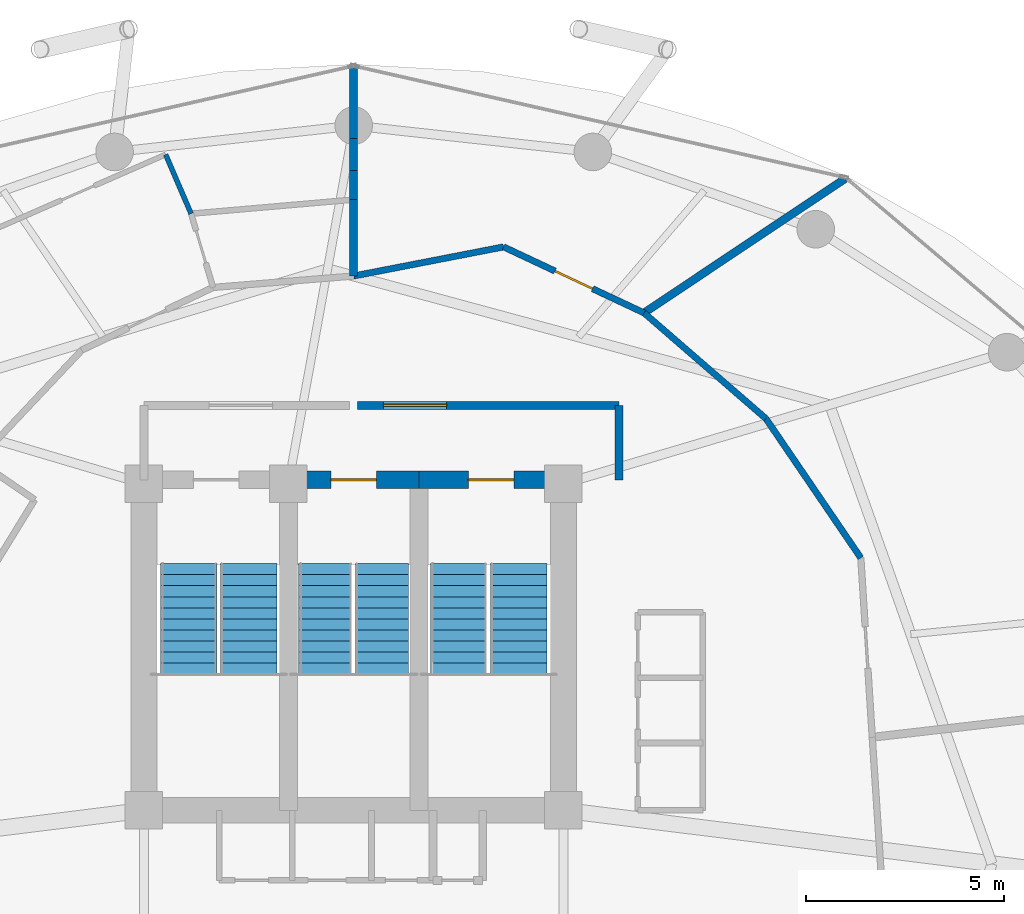
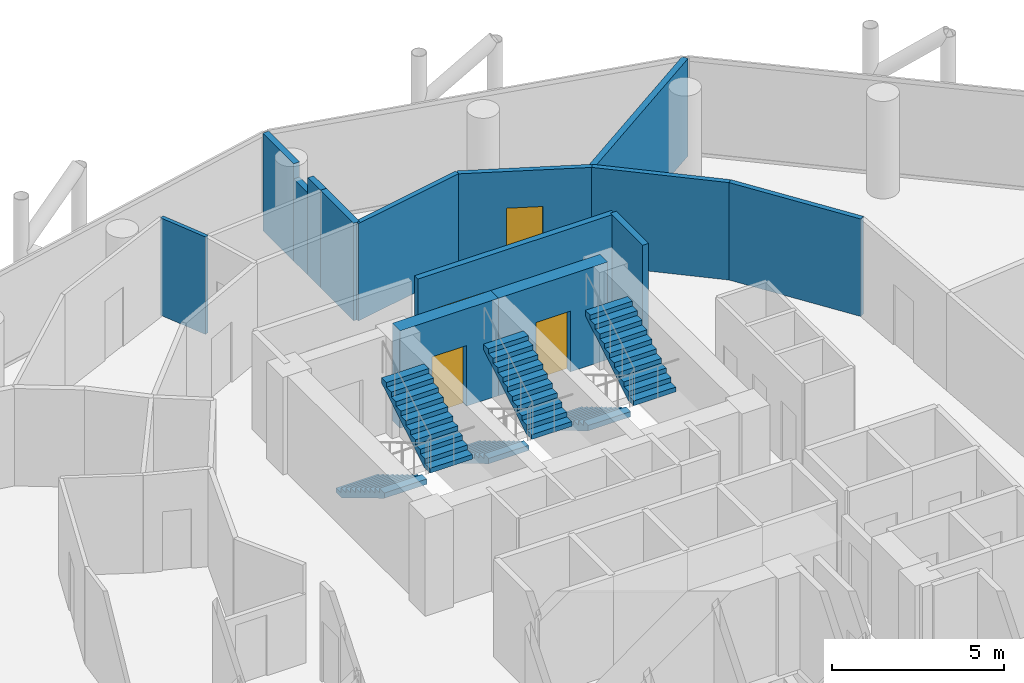
# One storey, part 25 of 26: 14 walls, 6 stair flights, 4 doors, 4 openings, 3 elements without a shape of their own.
"""IFC4 building model written with IfcOpenShell, lengths in metres."""

from ifc_helpers import new_model, si_unit, direction, frame, frame_2d, origin, place, context, subcontext, project, spatial, polyline, rectangle, outline, extrude, material, layer, layer_set, type_object, element, fill, aggregate, save


model = new_model("IFC4")

# Units and contexts
model_context = context("Model", 3, precision=1e-05, world=origin(), true_north=direction((0.0, 1.0)))
body_context = subcontext(model_context, "Body", "Model", "MODEL_VIEW")
ifc_project = project(units=[si_unit("LENGTHUNIT", "METRE"), si_unit("AREAUNIT", "SQUARE_METRE"), si_unit("VOLUMEUNIT", "CUBIC_METRE"), si_unit("PLANEANGLEUNIT", "RADIAN"), si_unit("MASSUNIT", "GRAM", prefix="KILO")], contexts=[model_context])

# Site, building, storey
site_placement = place(None, origin())
site = spatial("IfcSite", under=ifc_project, at=site_placement, CompositionType="ELEMENT")
building_placement = place(site_placement, origin())
building = spatial("IfcBuilding", under=site, at=building_placement, Name="Nuhasar Tower", CompositionType="ELEMENT")
storey_placement = place(building_placement, frame((0.0, 0.0, 129.35009765625)))
storey = spatial("IfcBuildingStorey", under=building, at=storey_placement, Name="L30", CompositionType="ELEMENT", Elevation=129.35009765625)

# Wall, opening, door
ifc_material_1 = material(Name="Concrete C50/60", Category="concrete")
ifc_layer_1 = layer(ifc_material_1, 0.449951171875)
ifc_layer_set_1 = layer_set([ifc_layer_1], Name="Concrete C50/60")
wall_type_1 = type_object("IfcWallType", Name="WL-CORE-450", PredefinedType="SHEAR", material=ifc_layer_set_1)
wall_1_placement = place(storey_placement, frame((40.64990234375, 37.39990234375, 0.0), z_axis=(0.0, 0.0, 1.0), x_axis=(-1.0, 0.0, 0.0)))
wall_1 = element("IfcWall", 1, at=wall_1_placement, inside=storey, type_object=wall_type_1, Name="L30 Stairwell Shear Wall ST03-N", PredefinedType="SHEAR", context=body_context, shape_type="SweptSolid", body=[
    extrude(rectangle(XDim=3.2998046875, YDim=0.449951171875, at=frame_2d((1.64990234375, 0.0))), origin(), (0.0, 0.0, 1.0), 3.449951171875),
])
opening_1_placement = place(wall_1_placement, frame((1.074951171875, 0.0, 0.0)))
opening_1 = element("IfcOpeningElement", 2, at=opening_1_placement, cuts=wall_1, Name="Opening DS-01", PredefinedType="OPENING", context=body_context, shape_type="SweptSolid", body=[
    extrude(rectangle(XDim=1.14990234375, YDim=2.14990234375, at=frame_2d((0.574951171875, 1.074951171875))), frame((0.0, 0.23486328125, 0.0), z_axis=(0.0, -1.0, 0.0), x_axis=(1.0, 0.0, 0.0)), (0.0, 0.0, 1.0), 0.469970703125),
])
ifc_material_2 = material(Name="Steel S355", Category="steel")
door_type_1 = type_object("IfcDoorType", Name="DR-STAIR-FD120-1150", OperationType="NOTDEFINED", PredefinedType="DOOR", material=ifc_material_2)
door_1_placement = place(opening_1_placement, origin())
door_1 = element("IfcDoor", 3, at=door_1_placement, inside=storey, type_object=door_type_1, Name="L30 Exit Stair ST-03 Door", OperationType="SINGLE_SWING_RIGHT", OverallHeight=2.14990234375, OverallWidth=1.14990234375, PredefinedType="DOOR", context=body_context, shape_type="SweptSolid", body=[
    extrude(rectangle(XDim=1.14990234375, YDim=2.14990234375, at=frame_2d((0.574951171875, 1.074951171875))), frame((0.0, 0.02490234375, 0.0), z_axis=(0.0, -1.0, 0.0), x_axis=(1.0, 0.0, 0.0)), (0.0, 0.0, 1.0), 0.050048828125),
])
fill(opening_1, door_1)

wall_2_placement = place(storey_placement, frame((44.300048828125, 37.39990234375, 0.0), z_axis=(0.0, 0.0, 1.0), x_axis=(-1.0, 0.0, 0.0)))
wall_2 = element("IfcWall", 4, at=wall_2_placement, inside=storey, type_object=wall_type_1, Name="L30 Stairwell Shear Wall ST02-N", PredefinedType="SHEAR", context=body_context, shape_type="SweptSolid", body=[
    extrude(rectangle(XDim=3.650146484375, YDim=0.449951171875, at=frame_2d((1.8251953125, 0.0))), origin(), (0.0, 0.0, 1.0), 3.449951171875),
])
opening_2_placement = place(wall_2_placement, frame((1.25, 0.0, 0.0)))
opening_2 = element("IfcOpeningElement", 5, at=opening_2_placement, cuts=wall_2, Name="Opening DS-01", PredefinedType="OPENING", context=body_context, shape_type="SweptSolid", body=[
    extrude(rectangle(XDim=1.14990234375, YDim=2.14990234375, at=frame_2d((0.574951171875, 1.074951171875))), frame((0.0, 0.23486328125, 0.0), z_axis=(0.0, -1.0, 0.0), x_axis=(1.0, 0.0, 0.0)), (0.0, 0.0, 1.0), 0.469970703125),
])
door_2_placement = place(opening_2_placement, origin())
door_2 = element("IfcDoor", 6, at=door_2_placement, inside=storey, type_object=door_type_1, Name="L30 Exit Stair ST-02 Door", OperationType="SINGLE_SWING_LEFT", OverallHeight=2.14990234375, OverallWidth=1.14990234375, PredefinedType="DOOR", context=body_context, shape_type="SweptSolid", body=[
    extrude(rectangle(XDim=1.14990234375, YDim=2.14990234375, at=frame_2d((0.574951171875, 1.074951171875))), frame((0.0, 0.02490234375, 0.0), z_axis=(0.0, -1.0, 0.0), x_axis=(1.0, 0.0, 0.0)), (0.0, 0.0, 1.0), 0.050048828125),
])
fill(opening_2, door_2)

# Walls
ifc_material_3 = material(Name="Gypsum Board", Category="gypsum")
ifc_layer_2 = layer(ifc_material_3, 0.159912109375)
ifc_layer_set_2 = layer_set([ifc_layer_2], Name="Gypsum Board")
wall_type_2 = type_object("IfcWallType", Name="WL-CORR-160", PredefinedType="PARTITIONING", material=ifc_layer_set_2)
wall_3_placement = place(storey_placement, frame((51.81396484375, 35.427001953125, 0.0), z_axis=(0.0, 0.0, 1.0), x_axis=(-0.563005951341, 0.826452841217, 0.0)))
element("IfcWall", 7, at=wall_3_placement, inside=storey, type_object=wall_type_2, Name="L30 Interior Partition CORR-04", PredefinedType="PARTITIONING", context=body_context, shape_type="SweptSolid", body=[
    extrude(rectangle(XDim=4.25927734375, YDim=0.159912109375, at=frame_2d((2.129638671875, 0.0))), origin(), (0.0, 0.0, 1.0), 3.449951171875),
])
wall_4_placement = place(storey_placement, frame((49.416015625, 38.947021484375, 0.0), z_axis=(0.0, 0.0, 1.0), x_axis=(-0.755507271242, 0.655140262158, 0.0)))
element("IfcWall", 8, at=wall_4_placement, inside=storey, type_object=wall_type_2, Name="L30 Interior Partition CORR-06", PredefinedType="PARTITIONING", context=body_context, shape_type="SweptSolid", body=[
    extrude(rectangle(XDim=4.076904296875, YDim=0.159912109375, at=frame_2d((2.03857421875, 0.0))), origin(), (0.0, 0.0, 1.0), 3.449951171875),
])

# Wall, opening, door
wall_5_placement = place(storey_placement, frame((42.7880859375, 43.284912109375, 0.0), z_axis=(0.0, 0.0, 1.0), x_axis=(0.905072606702, -0.425257071192, 0.0)))
wall_5 = element("IfcWall", 9, at=wall_5_placement, inside=storey, type_object=wall_type_2, Name="L30 Interior Partition CORR-08", PredefinedType="PARTITIONING", context=body_context, shape_type="SweptSolid", body=[
    extrude(rectangle(XDim=3.919921875, YDim=0.159912109375, at=frame_2d((1.9599609375, 0.0))), origin(), (0.0, 0.0, 1.0), 3.449951171875),
])
opening_3_placement = place(wall_5_placement, frame((1.43505859375, 0.0, 0.0)))
opening_3 = element("IfcOpeningElement", 10, at=opening_3_placement, cuts=wall_5, Name="Opening DU-01", PredefinedType="OPENING", context=body_context, shape_type="SweptSolid", body=[
    extrude(rectangle(XDim=1.050048828125, YDim=2.14990234375, at=frame_2d((0.52490234375, 1.074951171875))), frame((0.0, 0.08984375, 0.0), z_axis=(0.0, -1.0, 0.0), x_axis=(1.0, 0.0, 0.0)), (0.0, 0.0, 1.0), 0.179931640625),
])
ifc_material_4 = material(Name="Timber Oak", Category="wood")
door_type_2 = type_object("IfcDoorType", Name="DR-SUITE-FD60-1050", OperationType="NOTDEFINED", PredefinedType="DOOR", material=ifc_material_4)
door_3_placement = place(opening_3_placement, origin())
door_3 = element("IfcDoor", 11, at=door_3_placement, inside=storey, type_object=door_type_2, Name="L30 Pastry Service Kitchen Entrance Door", OperationType="SINGLE_SWING_LEFT", OverallHeight=2.14990234375, OverallWidth=1.050048828125, PredefinedType="DOOR", context=body_context, shape_type="SweptSolid", body=[
    extrude(rectangle(XDim=1.050048828125, YDim=2.14990234375, at=frame_2d((0.52490234375, 1.074951171875))), frame((0.0, 0.02490234375, 0.0), z_axis=(0.0, -1.0, 0.0), x_axis=(1.0, 0.0, 0.0)), (0.0, 0.0, 1.0), 0.050048828125),
])
fill(opening_3, door_3)

# Walls
wall_6_placement = place(storey_placement, frame((42.7880859375, 43.284912109375, 0.0), z_axis=(0.0, 0.0, 1.0), x_axis=(-0.981698277118, -0.190442885674, 0.0)))
element("IfcWall", 12, at=wall_6_placement, inside=storey, type_object=wall_type_2, Name="L30 Interior Partition CORR-10", PredefinedType="PARTITIONING", context=body_context, shape_type="SweptSolid", body=[
    extrude(rectangle(XDim=3.858642578125, YDim=0.159912109375, at=frame_2d((1.92919921875, 0.0))), origin(), (0.0, 0.0, 1.0), 3.449951171875),
])
ifc_material_5 = material(Name="Concrete C45/55", Category="concrete")
ifc_layer_3 = layer(ifc_material_5, 0.199951171875)
ifc_layer_set_3 = layer_set([ifc_layer_3], Name="Concrete C45/55")
wall_type_3 = type_object("IfcWallType", Name="WL-LOBBY-200", PredefinedType="SOLIDWALL", material=ifc_layer_set_3)
wall_7_placement = place(storey_placement, frame((45.699951171875, 37.39990234375, 0.0), z_axis=(0.0, 0.0, 1.0), x_axis=(0.0, 1.0, 0.0)))
element("IfcWall", 13, at=wall_7_placement, inside=storey, type_object=wall_type_3, Name="L30 Interior Partition NSL-E", PredefinedType="SOLIDWALL", context=body_context, shape_type="SweptSolid", body=[
    extrude(rectangle(XDim=1.880126953125, YDim=0.199951171875, at=frame_2d((0.93994140625, 0.0))), origin(), (0.0, 0.0, 1.0), 3.449951171875),
])

# Wall, opening, door
wall_8_placement = place(storey_placement, frame((45.699951171875, 39.280029296875, 0.0), z_axis=(0.0, 0.0, 1.0), x_axis=(-1.0, 0.0, 0.0)))
wall_8 = element("IfcWall", 14, at=wall_8_placement, inside=storey, type_object=wall_type_3, Name="L30 Interior Partition NSL-N2", PredefinedType="SOLIDWALL", context=body_context, shape_type="SweptSolid", body=[
    extrude(rectangle(XDim=6.599853515625, YDim=0.199951171875, at=frame_2d((3.2998046875, 0.0))), origin(), (0.0, 0.0, 1.0), 3.449951171875),
])
opening_4_placement = place(wall_8_placement, frame((4.35009765625, 0.0, 0.0)))
opening_4 = element("IfcOpeningElement", 15, at=opening_4_placement, cuts=wall_8, Name="Opening DC-01", PredefinedType="OPENING", context=body_context, shape_type="SweptSolid", body=[
    extrude(rectangle(XDim=1.60009765625, YDim=2.199951171875, at=frame_2d((0.800048828125, 1.10009765625))), frame((0.0, 0.10986328125, 0.0), z_axis=(0.0, -1.0, 0.0), x_axis=(1.0, 0.0, 0.0)), (0.0, 0.0, 1.0), 0.219970703125),
])
door_type_3 = type_object("IfcDoorType", Name="DR-CORR-FD60-1600", OperationType="DOUBLE_DOOR_SINGLE_SWING", PredefinedType="DOOR", material=ifc_material_2)
door_4_placement = place(opening_4_placement, origin())
door_4 = element("IfcDoor", 16, at=door_4_placement, inside=storey, type_object=door_type_3, Name="L30 North Stair Lobby East Door", OperationType="DOUBLE_DOOR_SINGLE_SWING", OverallHeight=2.199951171875, OverallWidth=1.60009765625, PredefinedType="DOOR", context=body_context, shape_type="SweptSolid", body=[
    extrude(rectangle(XDim=1.60009765625, YDim=2.199951171875, at=frame_2d((0.800048828125, 1.10009765625))), frame((0.0, 0.02490234375, 0.0), z_axis=(0.0, -1.0, 0.0), x_axis=(1.0, 0.0, 0.0)), (0.0, 0.0, 1.0), 0.050048828125),
])
fill(opening_4, door_4)

# Walls
ifc_layer_4 = layer(ifc_material_3, 0.125)
ifc_layer_set_4 = layer_set([ifc_layer_4], Name="Gypsum Board")
wall_type_4 = type_object("IfcWallType", Name="WL-PART-125", PredefinedType="PARTITIONING", material=ifc_layer_set_4)
wall_9_placement = place(storey_placement, frame((34.89111328125, 44.1240234375, 0.0), z_axis=(0.0, 0.0, 1.0), x_axis=(-0.395168288511, 0.918608743566, 0.0)))
element("IfcWall", 17, at=wall_9_placement, inside=storey, type_object=wall_type_4, Name="L30 Interior Partition HBS-06", PredefinedType="PARTITIONING", context=body_context, shape_type="SweptSolid", body=[
    extrude(rectangle(XDim=1.62744140625, YDim=0.125, at=frame_2d((0.813720703125, 0.0))), origin(), (0.0, 0.0, 1.0), 3.449951171875),
])
ifc_material_6 = material(Name="Concrete C40/50 precast", Category="concrete")
ifc_layer_5 = layer(ifc_material_6, 0.199951171875)
ifc_layer_set_5 = layer_set([ifc_layer_5], Name="Concrete C40/50 precast")
wall_type_5 = type_object("IfcWallType", Name="WL-UNIT-200", PredefinedType="PARTITIONING", material=ifc_layer_set_5)
wall_10_placement = place(storey_placement, frame((46.3359375, 41.617919921875, 0.0), z_axis=(0.0, 0.0, 1.0), x_axis=(0.831644013248, 0.555309134832, 0.0)))
element("IfcWall", 18, at=wall_10_placement, inside=storey, type_object=wall_type_5, Name="L30 Interior Partition HRAD-08", PredefinedType="PARTITIONING", context=body_context, shape_type="SweptSolid", body=[
    extrude(rectangle(XDim=6.10498046875, YDim=0.199951171875, at=frame_2d((3.052490234375, 0.0))), origin(), (0.0, 0.0, 1.0), 3.449951171875),
])
wall_11_placement = place(storey_placement, frame((39.0, 42.550048828125, 0.0), z_axis=(0.0, 0.0, 1.0), x_axis=(0.0, 1.0, 0.0)))
element("IfcWall", 19, at=wall_11_placement, inside=storey, type_object=wall_type_5, Name="L30 Interior Partition HRAD-12-S1", PredefinedType="PARTITIONING", context=body_context, shape_type="SweptSolid", body=[
    extrude(rectangle(XDim=1.929931640625, YDim=0.199951171875, at=frame_2d((0.96484375, 0.0))), origin(), (0.0, 0.0, 1.0), 3.449951171875),
])
wall_12_placement = place(storey_placement, frame((39.0, 44.47998046875, 0.0), z_axis=(0.0, 0.0, 1.0), x_axis=(0.0, 1.0, 0.0)))
element("IfcWall", 20, at=wall_12_placement, inside=storey, type_object=wall_type_5, Name="L30 Interior Partition HRAD-12-S2", PredefinedType="PARTITIONING", context=body_context, shape_type="SweptSolid", body=[
    extrude(rectangle(XDim=0.739013671875, YDim=0.199951171875, at=frame_2d((0.36962890625, 0.0))), origin(), (0.0, 0.0, 1.0), 3.449951171875),
])
wall_13_placement = place(storey_placement, frame((39.0, 45.218994140625, 0.0), z_axis=(0.0, 0.0, 1.0), x_axis=(0.0, 1.0, 0.0)))
element("IfcWall", 21, at=wall_13_placement, inside=storey, type_object=wall_type_5, Name="L30 Interior Partition HRAD-12-S2", PredefinedType="PARTITIONING", context=body_context, shape_type="SweptSolid", body=[
    extrude(rectangle(XDim=0.81103515625, YDim=0.199951171875, at=frame_2d((0.405517578125, 0.0))), origin(), (0.0, 0.0, 1.0), 2.914794921875),
])
wall_14_placement = place(storey_placement, frame((39.0, 46.030029296875, 0.0), z_axis=(0.0, 0.0, 1.0), x_axis=(0.0, 1.0, 0.0)))
element("IfcWall", 22, at=wall_14_placement, inside=storey, type_object=wall_type_5, Name="L30 Interior Partition HRAD-12-S3", PredefinedType="PARTITIONING", context=body_context, shape_type="SweptSolid", body=[
    extrude(rectangle(XDim=1.794921875, YDim=0.199951171875, at=frame_2d((0.8974609375, 0.0))), origin(), (0.0, 0.0, 1.0), 3.449951171875),
])

# Stair, stair flights
stair_type_1 = type_object("IfcStairType", Name="STR-ST-01-2F-22R-1682", PredefinedType="HALF_TURN_STAIR", material=ifc_material_5)
stair_1_placement = place(storey_placement, origin())
stair_1 = element("IfcStair", 23, at=stair_1_placement, inside=storey, type_object=stair_type_1, Name="L30 Exit Stair ST-01", PredefinedType="HALF_TURN_STAIR")
stair_flight_type_1 = type_object("IfcStairFlightType", Name="SFL-ST-01-11R-1682", PredefinedType="STRAIGHT", material=ifc_material_5)
stair_flight_1_placement = place(storey_placement, frame((34.830078125, 35.284912109375, 0.0), z_axis=(0.0, 0.0, 1.0), x_axis=(0.0, -1.0, 0.0)))
stair_flight_1 = element("IfcStairFlight", 24, at=stair_flight_1_placement, type_object=stair_flight_type_1, Name="ST-01 flight 1", NumberOfRisers=11, NumberOfTreads=10, PredefinedType="STRAIGHT", RiserHeight=0.168182, TreadLength=0.28, context=body_context, shape_type="SweptSolid", body=[
    extrude(outline(polyline([(0.0, 0.0), (0.0, 0.168212890625), (0.280029296875, 0.168212890625), (0.280029296875, 0.33642578125), (0.56005859375, 0.33642578125), (0.56005859375, 0.504638671875), (0.840087890625, 0.504638671875), (0.840087890625, 0.672607421875), (1.1201171875, 0.672607421875), (1.1201171875, 0.8408203125), (1.39990234375, 0.8408203125), (1.39990234375, 1.009033203125), (1.679931640625, 1.009033203125), (1.679931640625, 1.17724609375), (1.9599609375, 1.17724609375), (1.9599609375, 1.345458984375), (2.239990234375, 1.345458984375), (2.239990234375, 1.513671875), (2.52001953125, 1.513671875), (2.52001953125, 1.681884765625), (2.800048828125, 1.681884765625), (2.800048828125, 1.85009765625), (2.800048828125, 1.495361328125), (0.310546875, 0.0), (0.0, 0.0)])), frame((0.0, 0.7099609375, 0.0), z_axis=(0.0, -1.0, 0.0), x_axis=(1.0, 0.0, 0.0)), (0.0, 0.0, 1.0), 1.419921875),
])
stair_flight_2_placement = place(storey_placement, frame((36.35009765625, 32.485107421875, 1.849853515625), z_axis=(0.0, 0.0, 1.0), x_axis=(0.0, 1.0, 0.0)))
stair_flight_2 = element("IfcStairFlight", 25, at=stair_flight_2_placement, type_object=stair_flight_type_1, Name="ST-01 flight 2", NumberOfRisers=11, NumberOfTreads=10, PredefinedType="STRAIGHT", RiserHeight=0.168182, TreadLength=0.28, context=body_context, shape_type="SweptSolid", body=[
    extrude(outline(polyline([(0.0, 0.0), (0.0, 0.168212890625), (0.280029296875, 0.168212890625), (0.280029296875, 0.33642578125), (0.56005859375, 0.33642578125), (0.56005859375, 0.504638671875), (0.840087890625, 0.504638671875), (0.840087890625, 0.672607421875), (1.1201171875, 0.672607421875), (1.1201171875, 0.8408203125), (1.39990234375, 0.8408203125), (1.39990234375, 1.009033203125), (1.679931640625, 1.009033203125), (1.679931640625, 1.17724609375), (1.9599609375, 1.17724609375), (1.9599609375, 1.345458984375), (2.239990234375, 1.345458984375), (2.239990234375, 1.513671875), (2.52001953125, 1.513671875), (2.52001953125, 1.681884765625), (2.800048828125, 1.681884765625), (2.800048828125, 1.85009765625), (2.800048828125, 1.495361328125), (0.310546875, 0.0), (0.0, 0.0)])), frame((0.0, 0.7099609375, 0.0), z_axis=(0.0, -1.0, 0.0), x_axis=(1.0, 0.0, 0.0)), (0.0, 0.0, 1.0), 1.419921875),
])
aggregate(stair_1, [stair_flight_1, stair_flight_2])

stair_type_2 = type_object("IfcStairType", Name="STR-ST-02-2F-22R-1682", PredefinedType="HALF_TURN_STAIR", material=ifc_material_5)
stair_2_placement = place(storey_placement, origin())
stair_2 = element("IfcStair", 26, at=stair_2_placement, inside=storey, type_object=stair_type_2, Name="L30 Exit Stair ST-02", PredefinedType="HALF_TURN_STAIR")
stair_flight_type_2 = type_object("IfcStairFlightType", Name="SFL-ST-02-11R-1682", PredefinedType="STRAIGHT", material=ifc_material_5)
stair_flight_3_placement = place(storey_placement, frame((41.64990234375, 35.284912109375, 0.0), z_axis=(0.0, 0.0, 1.0), x_axis=(0.0, -1.0, 0.0)))
stair_flight_3 = element("IfcStairFlight", 27, at=stair_flight_3_placement, type_object=stair_flight_type_2, Name="ST-02 flight 1", NumberOfRisers=11, NumberOfTreads=10, PredefinedType="STRAIGHT", RiserHeight=0.168182, TreadLength=0.28, context=body_context, shape_type="SweptSolid", body=[
    extrude(outline(polyline([(0.0, 0.0), (0.0, 0.168212890625), (0.280029296875, 0.168212890625), (0.280029296875, 0.33642578125), (0.56005859375, 0.33642578125), (0.56005859375, 0.504638671875), (0.840087890625, 0.504638671875), (0.840087890625, 0.672607421875), (1.1201171875, 0.672607421875), (1.1201171875, 0.8408203125), (1.39990234375, 0.8408203125), (1.39990234375, 1.009033203125), (1.679931640625, 1.009033203125), (1.679931640625, 1.17724609375), (1.9599609375, 1.17724609375), (1.9599609375, 1.345458984375), (2.239990234375, 1.345458984375), (2.239990234375, 1.513671875), (2.52001953125, 1.513671875), (2.52001953125, 1.681884765625), (2.800048828125, 1.681884765625), (2.800048828125, 1.85009765625), (2.800048828125, 1.495361328125), (0.310546875, 0.0), (0.0, 0.0)])), frame((0.0, 0.7099609375, 0.0), z_axis=(0.0, -1.0, 0.0), x_axis=(1.0, 0.0, 0.0)), (0.0, 0.0, 1.0), 1.419921875),
])
stair_flight_4_placement = place(storey_placement, frame((43.169921875, 32.485107421875, 1.849853515625), z_axis=(0.0, 0.0, 1.0), x_axis=(0.0, 1.0, 0.0)))
stair_flight_4 = element("IfcStairFlight", 28, at=stair_flight_4_placement, type_object=stair_flight_type_2, Name="ST-02 flight 2", NumberOfRisers=11, NumberOfTreads=10, PredefinedType="STRAIGHT", RiserHeight=0.168182, TreadLength=0.28, context=body_context, shape_type="SweptSolid", body=[
    extrude(outline(polyline([(0.0, 0.0), (0.0, 0.168212890625), (0.280029296875, 0.168212890625), (0.280029296875, 0.33642578125), (0.56005859375, 0.33642578125), (0.56005859375, 0.504638671875), (0.840087890625, 0.504638671875), (0.840087890625, 0.672607421875), (1.1201171875, 0.672607421875), (1.1201171875, 0.8408203125), (1.39990234375, 0.8408203125), (1.39990234375, 1.009033203125), (1.679931640625, 1.009033203125), (1.679931640625, 1.17724609375), (1.9599609375, 1.17724609375), (1.9599609375, 1.345458984375), (2.239990234375, 1.345458984375), (2.239990234375, 1.513671875), (2.52001953125, 1.513671875), (2.52001953125, 1.681884765625), (2.800048828125, 1.681884765625), (2.800048828125, 1.85009765625), (2.800048828125, 1.495361328125), (0.310546875, 0.0), (0.0, 0.0)])), frame((0.0, 0.7099609375, 0.0), z_axis=(0.0, -1.0, 0.0), x_axis=(1.0, 0.0, 0.0)), (0.0, 0.0, 1.0), 1.419921875),
])
aggregate(stair_2, [stair_flight_3, stair_flight_4])

stair_type_3 = type_object("IfcStairType", Name="STR-ST-03-2F-22R-1682", PredefinedType="HALF_TURN_STAIR", material=ifc_material_5)
stair_3_placement = place(storey_placement, origin())
stair_3 = element("IfcStair", 29, at=stair_3_placement, inside=storey, type_object=stair_type_3, Name="L30 Exit Stair ST-03", PredefinedType="HALF_TURN_STAIR")
stair_flight_type_3 = type_object("IfcStairFlightType", Name="SFL-ST-03-11R-1682", PredefinedType="STRAIGHT", material=ifc_material_5)
stair_flight_5_placement = place(storey_placement, frame((38.280029296875, 35.284912109375, 0.0), z_axis=(0.0, 0.0, 1.0), x_axis=(0.0, -1.0, 0.0)))
stair_flight_5 = element("IfcStairFlight", 30, at=stair_flight_5_placement, type_object=stair_flight_type_3, Name="ST-03 flight 1", NumberOfRisers=11, NumberOfTreads=10, PredefinedType="STRAIGHT", RiserHeight=0.168182, TreadLength=0.28, context=body_context, shape_type="SweptSolid", body=[
    extrude(outline(polyline([(0.0, 0.0), (0.0, 0.168212890625), (0.280029296875, 0.168212890625), (0.280029296875, 0.33642578125), (0.56005859375, 0.33642578125), (0.56005859375, 0.504638671875), (0.840087890625, 0.504638671875), (0.840087890625, 0.672607421875), (1.1201171875, 0.672607421875), (1.1201171875, 0.8408203125), (1.39990234375, 0.8408203125), (1.39990234375, 1.009033203125), (1.679931640625, 1.009033203125), (1.679931640625, 1.17724609375), (1.9599609375, 1.17724609375), (1.9599609375, 1.345458984375), (2.239990234375, 1.345458984375), (2.239990234375, 1.513671875), (2.52001953125, 1.513671875), (2.52001953125, 1.681884765625), (2.800048828125, 1.681884765625), (2.800048828125, 1.85009765625), (2.800048828125, 1.495361328125), (0.310546875, 0.0), (0.0, 0.0)])), frame((0.0, 0.669921875, 0.0), z_axis=(0.0, -1.0, 0.0), x_axis=(1.0, 0.0, 0.0)), (0.0, 0.0, 1.0), 1.340087890625),
])
stair_flight_6_placement = place(storey_placement, frame((39.719970703125, 32.485107421875, 1.849853515625), z_axis=(0.0, 0.0, 1.0), x_axis=(0.0, 1.0, 0.0)))
stair_flight_6 = element("IfcStairFlight", 31, at=stair_flight_6_placement, type_object=stair_flight_type_3, Name="ST-03 flight 2", NumberOfRisers=11, NumberOfTreads=10, PredefinedType="STRAIGHT", RiserHeight=0.168182, TreadLength=0.28, context=body_context, shape_type="SweptSolid", body=[
    extrude(outline(polyline([(0.0, 0.0), (0.0, 0.168212890625), (0.280029296875, 0.168212890625), (0.280029296875, 0.33642578125), (0.56005859375, 0.33642578125), (0.56005859375, 0.504638671875), (0.840087890625, 0.504638671875), (0.840087890625, 0.672607421875), (1.1201171875, 0.672607421875), (1.1201171875, 0.8408203125), (1.39990234375, 0.8408203125), (1.39990234375, 1.009033203125), (1.679931640625, 1.009033203125), (1.679931640625, 1.17724609375), (1.9599609375, 1.17724609375), (1.9599609375, 1.345458984375), (2.239990234375, 1.345458984375), (2.239990234375, 1.513671875), (2.52001953125, 1.513671875), (2.52001953125, 1.681884765625), (2.800048828125, 1.681884765625), (2.800048828125, 1.85009765625), (2.800048828125, 1.495361328125), (0.310546875, 0.0), (0.0, 0.0)])), frame((0.0, 0.669921875, 0.0), z_axis=(0.0, -1.0, 0.0), x_axis=(1.0, 0.0, 0.0)), (0.0, 0.0, 1.0), 1.340087890625),
])
aggregate(stair_3, [stair_flight_5, stair_flight_6])

save(model, "model.ifc")
